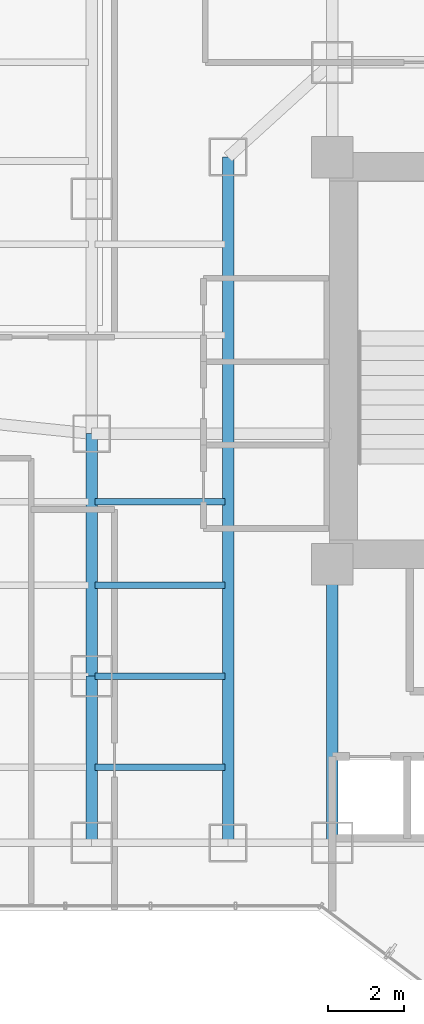
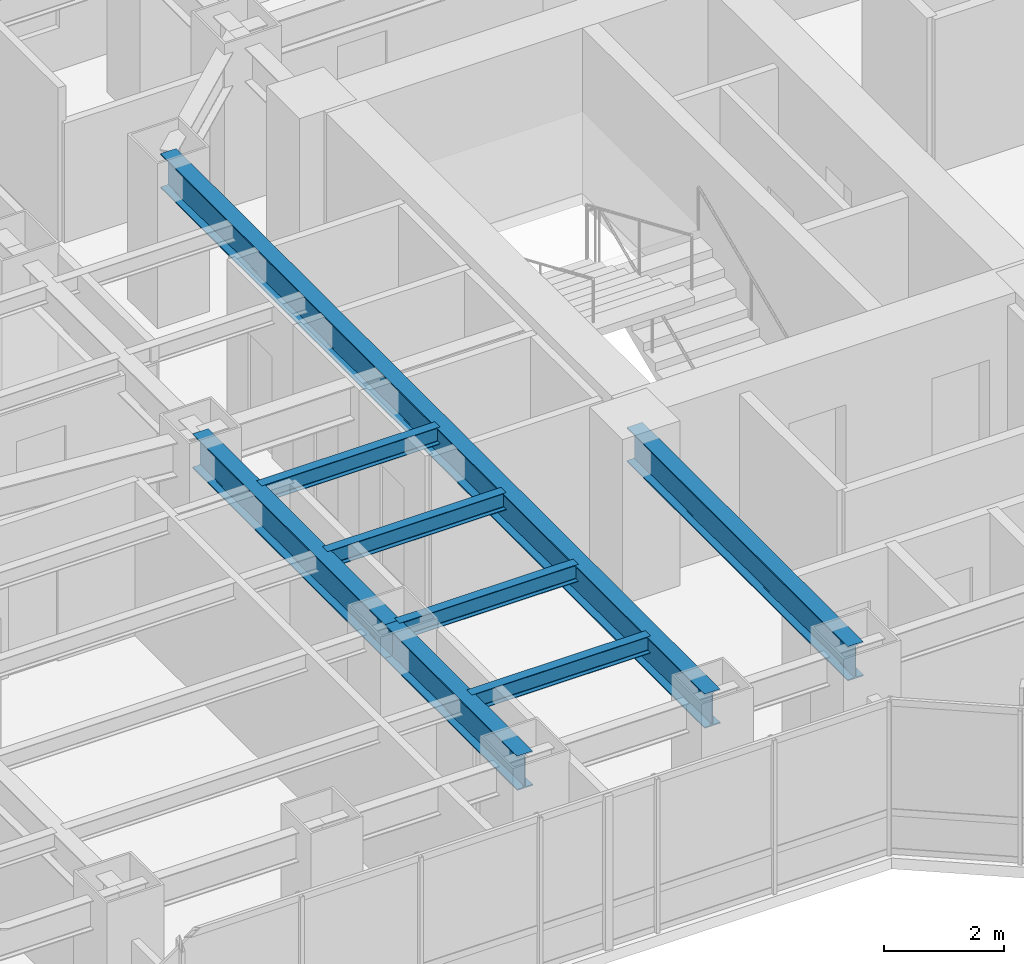
# One storey, part 8 of 38: 8 beams.
"""IFC4 building model written with IfcOpenShell, lengths in metres."""

from ifc_helpers import new_model, si_unit, direction, frame, origin, origin_2d, place, context, subcontext, project, spatial, i_section, extrude, material, material_profile, profile_set, type_object, element, save


model = new_model("IFC4")

# Units and contexts
model_context = context("Model", 3, precision=1e-05, world=origin(), true_north=direction((0.0, 1.0)))
body_context = subcontext(model_context, "Body", "Model", "MODEL_VIEW")
ifc_project = project(units=[si_unit("LENGTHUNIT", "METRE"), si_unit("AREAUNIT", "SQUARE_METRE"), si_unit("VOLUMEUNIT", "CUBIC_METRE"), si_unit("PLANEANGLEUNIT", "RADIAN"), si_unit("MASSUNIT", "GRAM", prefix="KILO")], contexts=[model_context])

# Site, building, storey
site_placement = place(None, origin())
site = spatial("IfcSite", under=ifc_project, at=site_placement, CompositionType="ELEMENT")
building_placement = place(site_placement, origin())
building = spatial("IfcBuilding", under=site, at=building_placement, Name="Hatsunagi Terrace Concourse", CompositionType="ELEMENT")
storey_placement = place(building_placement, frame((0.0, 0.0, 63.39990234375)))
storey = spatial("IfcBuildingStorey", under=building, at=storey_placement, Name="L16", CompositionType="ELEMENT", Elevation=63.39990234375)

# Beams
ifc_material_1 = material(Name="Steel SN490B", Category="steel")
ifc_material_profile_1 = material_profile(ifc_material_1, i_section(OverallWidth=0.300048828125, OverallDepth=0.699951171875, WebThickness=0.012939453125, FlangeThickness=0.02392578125, FilletRadius=0.02197265625, at=origin_2d()), Name="H-700x300x13x24")
ifc_profile_set_1 = profile_set([ifc_material_profile_1], Name="Steel SN490B")
beam_type_1 = type_object("IfcBeamType", Name="HotelFloorGirder_H_700x300", PredefinedType="BEAM", material=ifc_profile_set_1)
beam_1_placement = place(storey_placement, frame((25.550048828125, 25.199951171875, 2.780029296875), z_axis=(0.0, 1.0, 0.0), x_axis=(-1.0, 0.0, 0.0)))
element("IfcBeam", 1, at=beam_1_placement, inside=storey, type_object=beam_type_1, Name="Beam G-04 BM-L16-K1CA", PredefinedType="BEAM", context=body_context, shape_type="SweptSolid", body=[
    extrude(i_section(OverallWidth=0.300048828125, OverallDepth=0.699951171875, WebThickness=0.012939453125, FlangeThickness=0.02392578125, FilletRadius=0.02197265625, at=origin_2d()), origin(), (0.0, 0.0, 1.0), 7.35009765625),
])
beam_2_placement = place(storey_placement, frame((22.800048828125, 25.199951171875, 2.780029296875), z_axis=(0.0, 1.0, 0.0), x_axis=(-1.0, 0.0, 0.0)))
element("IfcBeam", 2, at=beam_2_placement, inside=storey, type_object=beam_type_1, Name="Beam G-04 BM-L16-CWNS", PredefinedType="BEAM", context=body_context, shape_type="SweptSolid", body=[
    extrude(i_section(OverallWidth=0.300048828125, OverallDepth=0.699951171875, WebThickness=0.012939453125, FlangeThickness=0.02392578125, FilletRadius=0.02197265625, at=origin_2d()), origin(), (0.0, 0.0, 1.0), 18.10009765625),
])
beam_3_placement = place(storey_placement, frame((19.199951171875, 25.199951171875, 2.780029296875), z_axis=(0.0, 1.0, 0.0), x_axis=(-1.0, 0.0, 0.0)))
element("IfcBeam", 3, at=beam_3_placement, inside=storey, type_object=beam_type_1, Name="Beam G-04 BM-L16-NS-19-25", PredefinedType="BEAM", context=body_context, shape_type="SweptSolid", body=[
    extrude(i_section(OverallWidth=0.300048828125, OverallDepth=0.699951171875, WebThickness=0.012939453125, FlangeThickness=0.02392578125, FilletRadius=0.02197265625, at=origin_2d()), origin(), (0.0, 0.0, 1.0), 4.400146484375),
])
beam_4_placement = place(storey_placement, frame((19.199951171875, 29.60009765625, 2.780029296875), z_axis=(0.0, 1.0, 0.0), x_axis=(-1.0, 0.0, 0.0)))
element("IfcBeam", 4, at=beam_4_placement, inside=storey, type_object=beam_type_1, Name="Beam G-04 BM-L16-NS-19-29", PredefinedType="BEAM", context=body_context, shape_type="SweptSolid", body=[
    extrude(i_section(OverallWidth=0.300048828125, OverallDepth=0.699951171875, WebThickness=0.012939453125, FlangeThickness=0.02392578125, FilletRadius=0.02197265625, at=origin_2d()), origin(), (0.0, 0.0, 1.0), 6.39990234375),
])
ifc_material_2 = material(Name="Steel SN490B", Category="steel")
ifc_material_profile_2 = material_profile(ifc_material_2, i_section(OverallWidth=0.175048828125, OverallDepth=0.35009765625, WebThickness=0.007080078125, FlangeThickness=0.010986328125, FilletRadius=0.012939453125, at=origin_2d()), Name="H-350x175x7x11")
ifc_profile_set_2 = profile_set([ifc_material_profile_2], Name="Steel SN490B")
beam_type_2 = type_object("IfcBeamType", Name="HotelJoist_H_350x175", PredefinedType="JOIST", material=ifc_profile_set_2)
for number, where, z_axis, x_axis, name in (
    (5, (19.284912109375, 27.199951171875, 2.955078125), (1.0, 0.0, 0.0), (0.0, 1.0, 0.0), "Beam J-02 J-L16-W-19-272"),
    (6, (19.284912109375, 29.60009765625, 2.955078125), (1.0, 0.0, 0.0), (0.0, 1.0, 0.0), "Beam J-02 J-L16-W-19-296"),
    (7, (19.284912109375, 32.0, 2.955078125), (1.0, 0.0, 0.0), (0.0, 1.0, 0.0), "Beam J-02 J-L16-W-19-320"),
    (8, (19.284912109375, 34.199951171875, 2.955078125), (1.0, 0.0, 0.0), (0.0, 1.0, 0.0), "Beam J-02 J-L16-W-19-342"),
):
    element("IfcBeam", number, at=place(storey_placement, frame(where, z_axis=z_axis, x_axis=x_axis)), inside=storey, type_object=beam_type_2, Name=name, PredefinedType="JOIST", context=body_context, shape_type="SweptSolid", body=[
        extrude(i_section(OverallWidth=0.175048828125, OverallDepth=0.35009765625, WebThickness=0.007080078125, FlangeThickness=0.010986328125, FilletRadius=0.012939453125, at=origin_2d()), origin(), (0.0, 0.0, 1.0), 3.43017578125),
    ])

save(model, "model.ifc")
